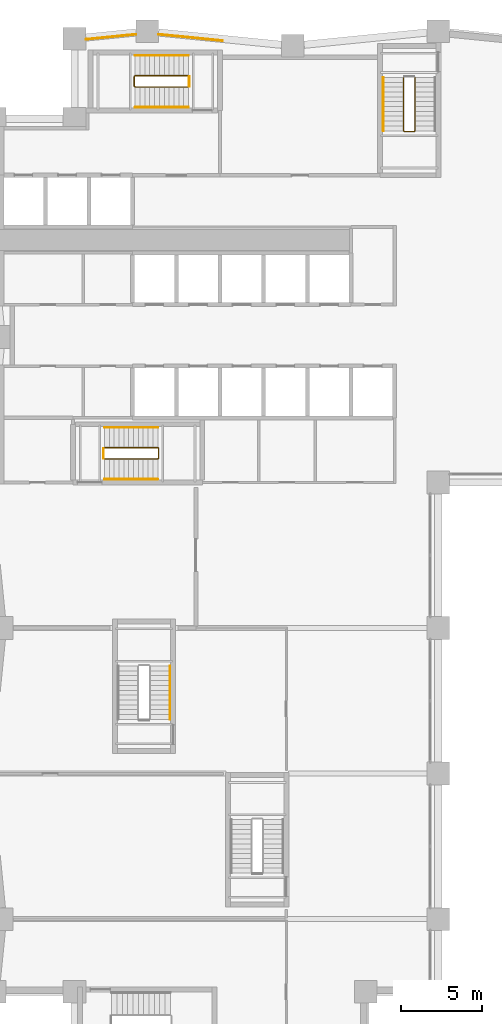
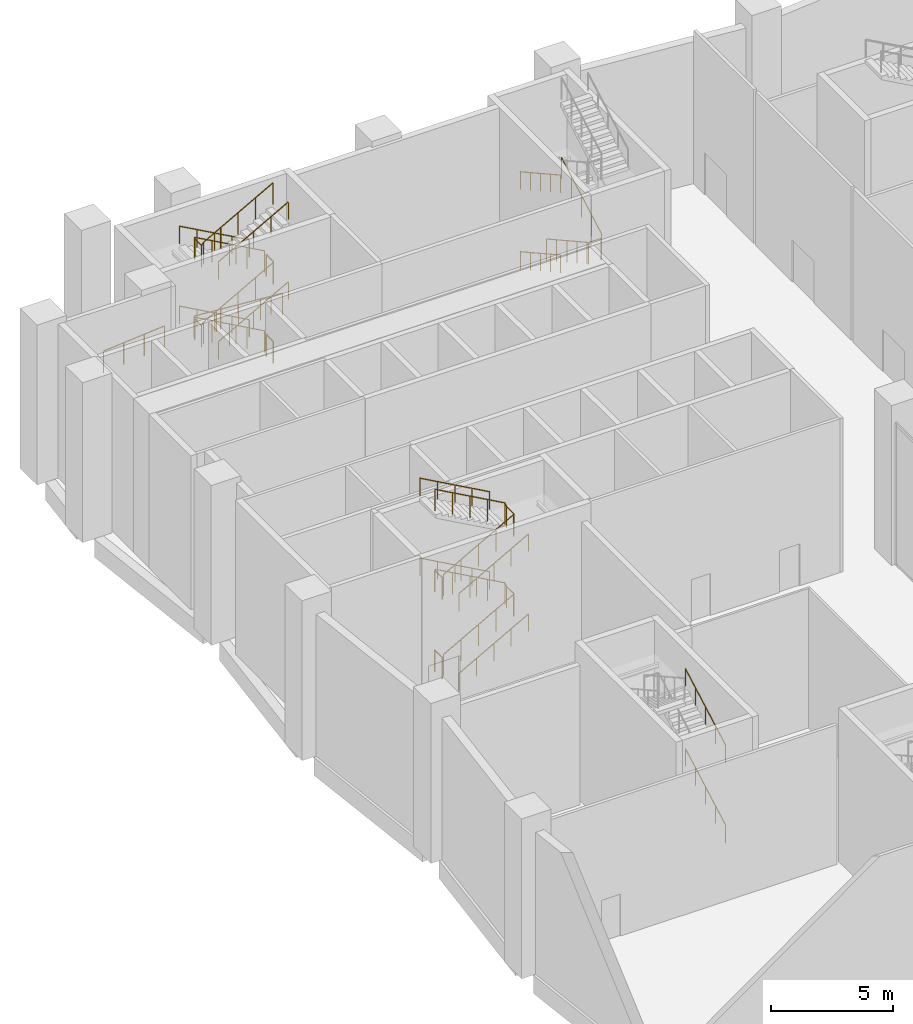
# One storey, part 17 of 19: 23 railings.
"""IFC4 building model written with IfcOpenShell, lengths in metres."""

from ifc_helpers import new_model, si_unit, direction, frame, origin, origin_2d, place, context, subcontext, project, spatial, circle, extrude, material, type_object, element, save


model = new_model("IFC4")

# Units and contexts
model_context = context("Model", 3, precision=1e-05, world=origin(), true_north=direction((0.0, 1.0)))
body_context = subcontext(model_context, "Body", "Model", "MODEL_VIEW")
ifc_project = project(units=[si_unit("LENGTHUNIT", "METRE"), si_unit("AREAUNIT", "SQUARE_METRE"), si_unit("VOLUMEUNIT", "CUBIC_METRE"), si_unit("PLANEANGLEUNIT", "RADIAN"), si_unit("MASSUNIT", "GRAM", prefix="KILO")], contexts=[model_context])

# Site, building, storey
site_placement = place(None, origin())
site = spatial("IfcSite", under=ifc_project, at=site_placement, CompositionType="ELEMENT")
building_placement = place(site_placement, origin())
building = spatial("IfcBuilding", under=site, at=building_placement, Name="Brondeck Convention Tower", CompositionType="ELEMENT")
storey_placement = place(building_placement, frame((0.0, 0.0, 19.5)))
storey = spatial("IfcBuildingStorey", under=building, at=storey_placement, Name="L03", CompositionType="ELEMENT", Elevation=19.5)

# Railings
ifc_material_1 = material(Name="Steel S355, bronze painted", Category="steel")
railing_type_1 = type_object("IfcRailingType", Name="Guard, bronze steel rail and posts", PredefinedType="GUARDRAIL", material=ifc_material_1)
railing_1_placement = place(storey_placement, frame((5.228515625, 63.402099609375, 0.0)))
element("IfcRailing", 1, at=railing_1_placement, inside=storey, type_object=railing_type_1, Name="ENV-RL-L03-REAR1", PredefinedType="GUARDRAIL", context=body_context, shape_type="SweptSolid", body=[
    extrude(circle(Radius=0.02490234375, at=origin_2d()), frame((0.0, 0.0, 1.0751953125), z_axis=(0.995030914205, 0.099566459095, 0.0), x_axis=(-0.099566459095, 0.995030914205, 0.0)), (0.0, 0.0, 1.0), 3.082275390625),
    extrude(circle(Radius=0.02490234375, at=origin_2d()), origin(), (0.0, 0.0, 1.0), 1.050048828125),
    extrude(circle(Radius=0.02490234375, at=origin_2d()), frame((1.022216796875, 0.102294921875, 0.0)), (0.0, 0.0, 1.0), 1.050048828125),
    extrude(circle(Radius=0.02490234375, at=origin_2d()), frame((2.044677734375, 0.20458984375, 0.0)), (0.0, 0.0, 1.0), 1.050048828125),
    extrude(circle(Radius=0.02490234375, at=origin_2d()), frame((3.06689453125, 0.306884765625, 0.0)), (0.0, 0.0, 1.0), 1.050048828125),
])
railing_2_placement = place(storey_placement, frame((9.70458984375, 63.708984375, 0.0)))
element("IfcRailing", 2, at=railing_2_placement, inside=storey, type_object=railing_type_1, Name="ENV-RL-L03-REAR2", PredefinedType="GUARDRAIL", context=body_context, shape_type="SweptSolid", body=[
    extrude(circle(Radius=0.02490234375, at=origin_2d()), frame((0.0, 0.0, 1.0751953125), z_axis=(0.99503719021, -0.099503719021, 0.0), x_axis=(0.099503719021, 0.99503719021, 0.0)), (0.0, 0.0, 1.0), 3.965087890625),
    extrude(circle(Radius=0.02490234375, at=origin_2d()), origin(), (0.0, 0.0, 1.0), 1.050048828125),
    extrude(circle(Radius=0.02490234375, at=origin_2d()), frame((0.986328125, -0.0986328125, 0.0)), (0.0, 0.0, 1.0), 1.050048828125),
    extrude(circle(Radius=0.02490234375, at=origin_2d()), frame((1.97265625, -0.197265625, 0.0)), (0.0, 0.0, 1.0), 1.050048828125),
    extrude(circle(Radius=0.02490234375, at=origin_2d()), frame((2.958984375, -0.2958984375, 0.0)), (0.0, 0.0, 1.0), 1.050048828125),
    extrude(circle(Radius=0.02490234375, at=origin_2d()), frame((3.9453125, -0.39453125, 0.0)), (0.0, 0.0, 1.0), 1.050048828125),
])
ifc_material_2 = material(Name="Steel S355", Category="steel")
railing_type_2 = type_object("IfcRailingType", Name="Stair guard 1100", PredefinedType="GUARDRAIL", material=ifc_material_2)
railing_3_placement = place(storey_placement, frame((6.35009765625, 37.449951171875, 0.166748046875)))
element("IfcRailing", 3, at=railing_3_placement, inside=storey, type_object=railing_type_2, Name="L03 ST-1 stair guard 1", PredefinedType="GUARDRAIL", context=body_context, shape_type="SweptSolid", body=[
    extrude(circle(Radius=0.02392578125, at=origin_2d()), frame((0.0, 0.0, 1.076171875), z_axis=(0.874154225373, 0.0, 0.485648422486), x_axis=(0.0, 1.0, 0.0)), (0.0, 0.0, 1.0), 3.77490234375),
    extrude(circle(Radius=0.02392578125, at=origin_2d()), frame((3.2998046875, 0.0, 2.9091796875), z_axis=(0.707106781187, 0.707106781187, 0.0), x_axis=(-0.707106781187, 0.707106781187, 0.0)), (0.0, 0.0, 1.0), 0.07080078125),
    extrude(circle(Radius=0.02392578125, at=origin_2d()), frame((3.349853515625, 0.050048828125, 2.9091796875), z_axis=(0.0, 1.0, 0.0), x_axis=(-1.0, 0.0, 0.0)), (0.0, 0.0, 1.0), 0.60009765625),
    extrude(circle(Radius=0.02392578125, at=origin_2d()), frame((3.349853515625, 0.650146484375, 2.9091796875), z_axis=(-0.276389281352, 0.275041040955, 0.920848191041), x_axis=(-0.705375805398, -0.708833529934, 0.0)), (0.0, 0.0, 1.0), 0.18115234375),
    extrude(circle(Radius=0.02392578125, at=origin_2d()), frame((3.2998046875, 0.699951171875, 3.076171875), z_axis=(-0.874154225373, 0.0, 0.485648422486), x_axis=(0.0, -1.0, 0.0)), (0.0, 0.0, 1.0), 3.77490234375),
    extrude(circle(Radius=0.02099609375, at=origin_2d()), origin(), (0.0, 0.0, 1.0), 1.052001953125),
    extrude(circle(Radius=0.02099609375, at=origin_2d()), frame((0.824951171875, 0.0, 0.458251953125)), (0.0, 0.0, 1.0), 1.052001953125),
    extrude(circle(Radius=0.02099609375, at=origin_2d()), frame((1.64990234375, 0.0, 0.91650390625)), (0.0, 0.0, 1.0), 1.052001953125),
    extrude(circle(Radius=0.02099609375, at=origin_2d()), frame((2.474853515625, 0.0, 1.375)), (0.0, 0.0, 1.0), 1.052001953125),
    extrude(circle(Radius=0.02099609375, at=origin_2d()), frame((3.2998046875, 0.0, 1.833251953125)), (0.0, 0.0, 1.0), 1.052001953125),
    extrude(circle(Radius=0.02099609375, at=origin_2d()), frame((3.349853515625, 0.050048828125, 1.833251953125)), (0.0, 0.0, 1.0), 1.052001953125),
    extrude(circle(Radius=0.02099609375, at=origin_2d()), frame((3.349853515625, 0.650146484375, 1.833251953125)), (0.0, 0.0, 1.0), 1.052001953125),
    extrude(circle(Radius=0.02099609375, at=origin_2d()), frame((3.2998046875, 0.699951171875, 2.0)), (0.0, 0.0, 1.0), 1.052001953125),
    extrude(circle(Radius=0.02099609375, at=origin_2d()), frame((2.474853515625, 0.699951171875, 2.458251953125)), (0.0, 0.0, 1.0), 1.052001953125),
    extrude(circle(Radius=0.02099609375, at=origin_2d()), frame((1.64990234375, 0.699951171875, 2.91650390625)), (0.0, 0.0, 1.0), 1.052001953125),
    extrude(circle(Radius=0.02099609375, at=origin_2d()), frame((0.824951171875, 0.699951171875, 3.375)), (0.0, 0.0, 1.0), 1.052001953125),
    extrude(circle(Radius=0.02099609375, at=origin_2d()), frame((0.0, 0.699951171875, 3.833251953125)), (0.0, 0.0, 1.0), 1.052001953125),
])
railing_4_placement = place(storey_placement, frame((6.300048828125, 37.5, 4.0)))
element("IfcRailing", 4, at=railing_4_placement, inside=storey, type_object=railing_type_2, Name="L03 ST-1 stair guard 2", PredefinedType="GUARDRAIL", context=body_context, shape_type="SweptSolid", body=[
    extrude(circle(Radius=0.02392578125, at=origin_2d()), frame((0.0, 0.0, 1.076171875), z_axis=(0.0, 1.0, 0.0), x_axis=(-1.0, 0.0, 0.0)), (0.0, 0.0, 1.0), 0.60009765625),
    extrude(circle(Radius=0.02099609375, at=origin_2d()), origin(), (0.0, 0.0, 1.0), 1.052001953125),
    extrude(circle(Radius=0.02099609375, at=origin_2d()), frame((0.0, 0.60009765625, 0.0)), (0.0, 0.0, 1.0), 1.052001953125),
])
railing_5_placement = place(storey_placement, frame((6.35009765625, 37.449951171875, 4.166748046875)))
element("IfcRailing", 5, at=railing_5_placement, inside=storey, type_object=railing_type_2, Name="L03 ST-1 stair guard 3", PredefinedType="GUARDRAIL", context=body_context, shape_type="SweptSolid", body=[
    extrude(circle(Radius=0.02392578125, at=origin_2d()), frame((0.0, 0.0, 1.076171875), z_axis=(0.874154225373, 0.0, 0.485648422486), x_axis=(0.0, 1.0, 0.0)), (0.0, 0.0, 1.0), 3.77490234375),
    extrude(circle(Radius=0.02392578125, at=origin_2d()), frame((3.2998046875, 0.0, 2.9091796875), z_axis=(0.707106781187, 0.707106781187, 0.0), x_axis=(-0.707106781187, 0.707106781187, 0.0)), (0.0, 0.0, 1.0), 0.07080078125),
    extrude(circle(Radius=0.02392578125, at=origin_2d()), frame((3.349853515625, 0.050048828125, 2.9091796875), z_axis=(0.0, 1.0, 0.0), x_axis=(-1.0, 0.0, 0.0)), (0.0, 0.0, 1.0), 0.60009765625),
    extrude(circle(Radius=0.02392578125, at=origin_2d()), frame((3.349853515625, 0.650146484375, 2.9091796875), z_axis=(-0.276389281352, 0.275041040955, 0.920848191041), x_axis=(-0.705375805398, -0.708833529934, 0.0)), (0.0, 0.0, 1.0), 0.18115234375),
    extrude(circle(Radius=0.02392578125, at=origin_2d()), frame((3.2998046875, 0.699951171875, 3.076171875), z_axis=(-0.874154225373, 0.0, 0.485648422486), x_axis=(0.0, -1.0, 0.0)), (0.0, 0.0, 1.0), 3.77490234375),
    extrude(circle(Radius=0.02099609375, at=origin_2d()), origin(), (0.0, 0.0, 1.0), 1.052001953125),
    extrude(circle(Radius=0.02099609375, at=origin_2d()), frame((0.824951171875, 0.0, 0.458251953125)), (0.0, 0.0, 1.0), 1.052001953125),
    extrude(circle(Radius=0.02099609375, at=origin_2d()), frame((1.64990234375, 0.0, 0.91650390625)), (0.0, 0.0, 1.0), 1.052001953125),
    extrude(circle(Radius=0.02099609375, at=origin_2d()), frame((2.474853515625, 0.0, 1.375)), (0.0, 0.0, 1.0), 1.052001953125),
    extrude(circle(Radius=0.02099609375, at=origin_2d()), frame((3.2998046875, 0.0, 1.833251953125)), (0.0, 0.0, 1.0), 1.052001953125),
    extrude(circle(Radius=0.02099609375, at=origin_2d()), frame((3.349853515625, 0.050048828125, 1.833251953125)), (0.0, 0.0, 1.0), 1.052001953125),
    extrude(circle(Radius=0.02099609375, at=origin_2d()), frame((3.349853515625, 0.650146484375, 1.833251953125)), (0.0, 0.0, 1.0), 1.052001953125),
    extrude(circle(Radius=0.02099609375, at=origin_2d()), frame((3.2998046875, 0.699951171875, 2.0)), (0.0, 0.0, 1.0), 1.052001953125),
    extrude(circle(Radius=0.02099609375, at=origin_2d()), frame((2.474853515625, 0.699951171875, 2.458251953125)), (0.0, 0.0, 1.0), 1.052001953125),
    extrude(circle(Radius=0.02099609375, at=origin_2d()), frame((1.64990234375, 0.699951171875, 2.91650390625)), (0.0, 0.0, 1.0), 1.052001953125),
    extrude(circle(Radius=0.02099609375, at=origin_2d()), frame((0.824951171875, 0.699951171875, 3.375)), (0.0, 0.0, 1.0), 1.052001953125),
    extrude(circle(Radius=0.02099609375, at=origin_2d()), frame((0.0, 0.699951171875, 3.833251953125)), (0.0, 0.0, 1.0), 1.052001953125),
])
railing_6_placement = place(storey_placement, frame((6.300048828125, 37.5, 0.0)))
element("IfcRailing", 6, at=railing_6_placement, inside=storey, type_object=railing_type_2, Name="L03 ST-1 stair guard 4", PredefinedType="GUARDRAIL", context=body_context, shape_type="SweptSolid", body=[
    extrude(circle(Radius=0.02392578125, at=origin_2d()), frame((0.0, 0.0, 1.076171875), z_axis=(0.0, 1.0, 0.0), x_axis=(-1.0, 0.0, 0.0)), (0.0, 0.0, 1.0), 0.60009765625),
    extrude(circle(Radius=0.02099609375, at=origin_2d()), origin(), (0.0, 0.0, 1.0), 1.052001953125),
    extrude(circle(Radius=0.02099609375, at=origin_2d()), frame((0.0, 0.60009765625, 0.0)), (0.0, 0.0, 1.0), 1.052001953125),
])
railing_7_placement = place(storey_placement, frame((24.85009765625, 61.050048828125, 0.166748046875)))
element("IfcRailing", 7, at=railing_7_placement, inside=storey, type_object=railing_type_2, Name="L03 ST-2 stair guard 1", PredefinedType="GUARDRAIL", context=body_context, shape_type="SweptSolid", body=[
    extrude(circle(Radius=0.02392578125, at=origin_2d()), frame((0.0, 0.0, 1.076171875), z_axis=(0.0, -0.874169478083, 0.485620966999), x_axis=(1.0, 0.0, 0.0)), (0.0, 0.0, 1.0), 3.775146484375),
    extrude(circle(Radius=0.02392578125, at=origin_2d()), frame((0.0, -3.300048828125, 2.9091796875), z_axis=(0.705375805398, -0.708833529934, 0.0), x_axis=(0.708833529934, 0.705375805398, 0.0)), (0.0, 0.0, 1.0), 0.070556640625),
    extrude(circle(Radius=0.02392578125, at=origin_2d()), frame((0.0498046875, -3.35009765625, 2.9091796875), z_axis=(1.0, 0.0, 0.0), x_axis=(0.0, 1.0, 0.0)), (0.0, 0.0, 1.0), 0.60009765625),
    extrude(circle(Radius=0.02392578125, at=origin_2d()), frame((0.64990234375, -3.35009765625, 2.9091796875), z_axis=(0.27628659633, 0.27628659633, 0.920506074601), x_axis=(-0.707106781187, 0.707106781187, 0.0)), (0.0, 0.0, 1.0), 0.18115234375),
    extrude(circle(Radius=0.02392578125, at=origin_2d()), frame((0.699951171875, -3.300048828125, 3.076171875), z_axis=(0.0, 0.874169478083, 0.485620966999), x_axis=(-1.0, 0.0, 0.0)), (0.0, 0.0, 1.0), 3.775146484375),
    extrude(circle(Radius=0.02099609375, at=origin_2d()), origin(), (0.0, 0.0, 1.0), 1.052001953125),
    extrude(circle(Radius=0.02099609375, at=origin_2d()), frame((0.0, -0.824951171875, 0.458251953125)), (0.0, 0.0, 1.0), 1.052001953125),
    extrude(circle(Radius=0.02099609375, at=origin_2d()), frame((0.0, -1.64990234375, 0.91650390625)), (0.0, 0.0, 1.0), 1.052001953125),
    extrude(circle(Radius=0.02099609375, at=origin_2d()), frame((0.0, -2.47509765625, 1.375)), (0.0, 0.0, 1.0), 1.052001953125),
    extrude(circle(Radius=0.02099609375, at=origin_2d()), frame((0.0, -3.300048828125, 1.833251953125)), (0.0, 0.0, 1.0), 1.052001953125),
    extrude(circle(Radius=0.02099609375, at=origin_2d()), frame((0.0498046875, -3.35009765625, 1.833251953125)), (0.0, 0.0, 1.0), 1.052001953125),
    extrude(circle(Radius=0.02099609375, at=origin_2d()), frame((0.64990234375, -3.35009765625, 1.833251953125)), (0.0, 0.0, 1.0), 1.052001953125),
    extrude(circle(Radius=0.02099609375, at=origin_2d()), frame((0.699951171875, -3.300048828125, 2.0)), (0.0, 0.0, 1.0), 1.052001953125),
    extrude(circle(Radius=0.02099609375, at=origin_2d()), frame((0.699951171875, -2.47509765625, 2.458251953125)), (0.0, 0.0, 1.0), 1.052001953125),
    extrude(circle(Radius=0.02099609375, at=origin_2d()), frame((0.699951171875, -1.64990234375, 2.91650390625)), (0.0, 0.0, 1.0), 1.052001953125),
    extrude(circle(Radius=0.02099609375, at=origin_2d()), frame((0.699951171875, -0.824951171875, 3.375)), (0.0, 0.0, 1.0), 1.052001953125),
    extrude(circle(Radius=0.02099609375, at=origin_2d()), frame((0.699951171875, 0.0, 3.833251953125)), (0.0, 0.0, 1.0), 1.052001953125),
])
railing_8_placement = place(storey_placement, frame((11.550048828125, 61.14990234375, 0.166748046875)))
element("IfcRailing", 8, at=railing_8_placement, inside=storey, type_object=railing_type_2, Name="L03 ST-3 stair guard 1", PredefinedType="GUARDRAIL", context=body_context, shape_type="SweptSolid", body=[
    extrude(circle(Radius=0.02392578125, at=origin_2d()), frame((0.0, 0.0, 1.076171875), z_axis=(-0.874169478083, 0.0, 0.485620966999), x_axis=(0.0, -1.0, 0.0)), (0.0, 0.0, 1.0), 3.775146484375),
    extrude(circle(Radius=0.02392578125, at=origin_2d()), frame((-3.300048828125, 0.0, 2.9091796875), z_axis=(-0.708833529934, -0.705375805398, 0.0), x_axis=(0.705375805398, -0.708833529934, 0.0)), (0.0, 0.0, 1.0), 0.070556640625),
    extrude(circle(Radius=0.02392578125, at=origin_2d()), frame((-3.35009765625, -0.0498046875, 2.9091796875), z_axis=(0.0, -1.0, 0.0), x_axis=(1.0, 0.0, 0.0)), (0.0, 0.0, 1.0), 0.60009765625),
    extrude(circle(Radius=0.02392578125, at=origin_2d()), frame((-3.35009765625, -0.64990234375, 2.9091796875), z_axis=(0.27628659633, -0.27628659633, 0.920506074601), x_axis=(0.707106781187, 0.707106781187, 0.0)), (0.0, 0.0, 1.0), 0.18115234375),
    extrude(circle(Radius=0.02392578125, at=origin_2d()), frame((-3.300048828125, -0.699951171875, 3.076171875), z_axis=(0.874169478083, 0.0, 0.485620966999), x_axis=(0.0, 1.0, 0.0)), (0.0, 0.0, 1.0), 3.775146484375),
    extrude(circle(Radius=0.02099609375, at=origin_2d()), origin(), (0.0, 0.0, 1.0), 1.052001953125),
    extrude(circle(Radius=0.02099609375, at=origin_2d()), frame((-0.824951171875, 0.0, 0.458251953125)), (0.0, 0.0, 1.0), 1.052001953125),
    extrude(circle(Radius=0.02099609375, at=origin_2d()), frame((-1.64990234375, 0.0, 0.91650390625)), (0.0, 0.0, 1.0), 1.052001953125),
    extrude(circle(Radius=0.02099609375, at=origin_2d()), frame((-2.47509765625, 0.0, 1.375)), (0.0, 0.0, 1.0), 1.052001953125),
    extrude(circle(Radius=0.02099609375, at=origin_2d()), frame((-3.300048828125, 0.0, 1.833251953125)), (0.0, 0.0, 1.0), 1.052001953125),
    extrude(circle(Radius=0.02099609375, at=origin_2d()), frame((-3.35009765625, -0.0498046875, 1.833251953125)), (0.0, 0.0, 1.0), 1.052001953125),
    extrude(circle(Radius=0.02099609375, at=origin_2d()), frame((-3.35009765625, -0.64990234375, 1.833251953125)), (0.0, 0.0, 1.0), 1.052001953125),
    extrude(circle(Radius=0.02099609375, at=origin_2d()), frame((-3.300048828125, -0.699951171875, 2.0)), (0.0, 0.0, 1.0), 1.052001953125),
    extrude(circle(Radius=0.02099609375, at=origin_2d()), frame((-2.47509765625, -0.699951171875, 2.458251953125)), (0.0, 0.0, 1.0), 1.052001953125),
    extrude(circle(Radius=0.02099609375, at=origin_2d()), frame((-1.64990234375, -0.699951171875, 2.91650390625)), (0.0, 0.0, 1.0), 1.052001953125),
    extrude(circle(Radius=0.02099609375, at=origin_2d()), frame((-0.824951171875, -0.699951171875, 3.375)), (0.0, 0.0, 1.0), 1.052001953125),
    extrude(circle(Radius=0.02099609375, at=origin_2d()), frame((0.0, -0.699951171875, 3.833251953125)), (0.0, 0.0, 1.0), 1.052001953125),
])
railing_9_placement = place(storey_placement, frame((11.60009765625, 61.10009765625, 4.0)))
element("IfcRailing", 9, at=railing_9_placement, inside=storey, type_object=railing_type_2, Name="L03 ST-3 stair guard 2", PredefinedType="GUARDRAIL", context=body_context, shape_type="SweptSolid", body=[
    extrude(circle(Radius=0.02392578125, at=origin_2d()), frame((0.0, 0.0, 1.076171875), z_axis=(0.0, -1.0, 0.0), x_axis=(1.0, 0.0, 0.0)), (0.0, 0.0, 1.0), 0.60009765625),
    extrude(circle(Radius=0.02099609375, at=origin_2d()), origin(), (0.0, 0.0, 1.0), 1.052001953125),
    extrude(circle(Radius=0.02099609375, at=origin_2d()), frame((0.0, -0.60009765625, 0.0)), (0.0, 0.0, 1.0), 1.052001953125),
])
railing_10_placement = place(storey_placement, frame((11.550048828125, 61.14990234375, 4.166748046875)))
element("IfcRailing", 10, at=railing_10_placement, inside=storey, type_object=railing_type_2, Name="L03 ST-3 stair guard 3", PredefinedType="GUARDRAIL", context=body_context, shape_type="SweptSolid", body=[
    extrude(circle(Radius=0.02392578125, at=origin_2d()), frame((0.0, 0.0, 1.076171875), z_axis=(-0.874169478083, 0.0, 0.485620966999), x_axis=(0.0, -1.0, 0.0)), (0.0, 0.0, 1.0), 3.775146484375),
    extrude(circle(Radius=0.02392578125, at=origin_2d()), frame((-3.300048828125, 0.0, 2.9091796875), z_axis=(-0.708833529934, -0.705375805398, 0.0), x_axis=(0.705375805398, -0.708833529934, 0.0)), (0.0, 0.0, 1.0), 0.070556640625),
    extrude(circle(Radius=0.02392578125, at=origin_2d()), frame((-3.35009765625, -0.0498046875, 2.9091796875), z_axis=(0.0, -1.0, 0.0), x_axis=(1.0, 0.0, 0.0)), (0.0, 0.0, 1.0), 0.60009765625),
    extrude(circle(Radius=0.02392578125, at=origin_2d()), frame((-3.35009765625, -0.64990234375, 2.9091796875), z_axis=(0.27628659633, -0.27628659633, 0.920506074601), x_axis=(0.707106781187, 0.707106781187, 0.0)), (0.0, 0.0, 1.0), 0.18115234375),
    extrude(circle(Radius=0.02392578125, at=origin_2d()), frame((-3.300048828125, -0.699951171875, 3.076171875), z_axis=(0.874169478083, 0.0, 0.485620966999), x_axis=(0.0, 1.0, 0.0)), (0.0, 0.0, 1.0), 3.775146484375),
    extrude(circle(Radius=0.02099609375, at=origin_2d()), origin(), (0.0, 0.0, 1.0), 1.052001953125),
    extrude(circle(Radius=0.02099609375, at=origin_2d()), frame((-0.824951171875, 0.0, 0.458251953125)), (0.0, 0.0, 1.0), 1.052001953125),
    extrude(circle(Radius=0.02099609375, at=origin_2d()), frame((-1.64990234375, 0.0, 0.91650390625)), (0.0, 0.0, 1.0), 1.052001953125),
    extrude(circle(Radius=0.02099609375, at=origin_2d()), frame((-2.47509765625, 0.0, 1.375)), (0.0, 0.0, 1.0), 1.052001953125),
    extrude(circle(Radius=0.02099609375, at=origin_2d()), frame((-3.300048828125, 0.0, 1.833251953125)), (0.0, 0.0, 1.0), 1.052001953125),
    extrude(circle(Radius=0.02099609375, at=origin_2d()), frame((-3.35009765625, -0.0498046875, 1.833251953125)), (0.0, 0.0, 1.0), 1.052001953125),
    extrude(circle(Radius=0.02099609375, at=origin_2d()), frame((-3.35009765625, -0.64990234375, 1.833251953125)), (0.0, 0.0, 1.0), 1.052001953125),
    extrude(circle(Radius=0.02099609375, at=origin_2d()), frame((-3.300048828125, -0.699951171875, 2.0)), (0.0, 0.0, 1.0), 1.052001953125),
    extrude(circle(Radius=0.02099609375, at=origin_2d()), frame((-2.47509765625, -0.699951171875, 2.458251953125)), (0.0, 0.0, 1.0), 1.052001953125),
    extrude(circle(Radius=0.02099609375, at=origin_2d()), frame((-1.64990234375, -0.699951171875, 2.91650390625)), (0.0, 0.0, 1.0), 1.052001953125),
    extrude(circle(Radius=0.02099609375, at=origin_2d()), frame((-0.824951171875, -0.699951171875, 3.375)), (0.0, 0.0, 1.0), 1.052001953125),
    extrude(circle(Radius=0.02099609375, at=origin_2d()), frame((0.0, -0.699951171875, 3.833251953125)), (0.0, 0.0, 1.0), 1.052001953125),
])
railing_11_placement = place(storey_placement, frame((11.60009765625, 61.10009765625, 0.0)))
element("IfcRailing", 11, at=railing_11_placement, inside=storey, type_object=railing_type_2, Name="L03 ST-3 stair guard 4", PredefinedType="GUARDRAIL", context=body_context, shape_type="SweptSolid", body=[
    extrude(circle(Radius=0.02392578125, at=origin_2d()), frame((0.0, 0.0, 1.076171875), z_axis=(0.0, -1.0, 0.0), x_axis=(1.0, 0.0, 0.0)), (0.0, 0.0, 1.0), 0.60009765625),
    extrude(circle(Radius=0.02099609375, at=origin_2d()), origin(), (0.0, 0.0, 1.0), 1.052001953125),
    extrude(circle(Radius=0.02099609375, at=origin_2d()), frame((0.0, -0.60009765625, 0.0)), (0.0, 0.0, 1.0), 1.052001953125),
])
railing_type_3 = type_object("IfcRailingType", Name="Stair handrail", PredefinedType="HANDRAIL", material=ifc_material_2)
railing_12_placement = place(storey_placement, frame((6.35009765625, 36.199951171875, 0.166748046875)))
element("IfcRailing", 12, at=railing_12_placement, inside=storey, type_object=railing_type_3, Name="L03 ST-1 stair handrail 1", PredefinedType="HANDRAIL", context=body_context, shape_type="SweptSolid", body=[
    extrude(circle(Radius=0.02392578125, at=origin_2d()), frame((0.0, 0.0, 0.8759765625), z_axis=(0.874154225373, 0.0, 0.485648422486), x_axis=(0.0, 1.0, 0.0)), (0.0, 0.0, 1.0), 3.77490234375),
    extrude(circle(Radius=0.02099609375, at=origin_2d()), origin(), (0.0, 0.0, 1.0), 0.851806640625),
    extrude(circle(Radius=0.02099609375, at=origin_2d()), frame((0.824951171875, 0.0, 0.458251953125)), (0.0, 0.0, 1.0), 0.851806640625),
    extrude(circle(Radius=0.02099609375, at=origin_2d()), frame((1.64990234375, 0.0, 0.91650390625)), (0.0, 0.0, 1.0), 0.851806640625),
    extrude(circle(Radius=0.02099609375, at=origin_2d()), frame((2.474853515625, 0.0, 1.375)), (0.0, 0.0, 1.0), 0.851806640625),
    extrude(circle(Radius=0.02099609375, at=origin_2d()), frame((3.2998046875, 0.0, 1.833251953125)), (0.0, 0.0, 1.0), 0.851806640625),
])
railing_13_placement = place(storey_placement, frame((9.64990234375, 39.39990234375, 2.166748046875)))
element("IfcRailing", 13, at=railing_13_placement, inside=storey, type_object=railing_type_3, Name="L03 ST-1 stair handrail 2", PredefinedType="HANDRAIL", context=body_context, shape_type="SweptSolid", body=[
    extrude(circle(Radius=0.02392578125, at=origin_2d()), frame((0.0, 0.0, 0.8759765625), z_axis=(-0.874154225373, 0.0, 0.485648422486), x_axis=(0.0, -1.0, 0.0)), (0.0, 0.0, 1.0), 3.77490234375),
    extrude(circle(Radius=0.02099609375, at=origin_2d()), origin(), (0.0, 0.0, 1.0), 0.851806640625),
    extrude(circle(Radius=0.02099609375, at=origin_2d()), frame((-0.824951171875, 0.0, 0.458251953125)), (0.0, 0.0, 1.0), 0.851806640625),
    extrude(circle(Radius=0.02099609375, at=origin_2d()), frame((-1.64990234375, 0.0, 0.91650390625)), (0.0, 0.0, 1.0), 0.851806640625),
    extrude(circle(Radius=0.02099609375, at=origin_2d()), frame((-2.474853515625, 0.0, 1.375)), (0.0, 0.0, 1.0), 0.851806640625),
    extrude(circle(Radius=0.02099609375, at=origin_2d()), frame((-3.2998046875, 0.0, 1.833251953125)), (0.0, 0.0, 1.0), 0.851806640625),
])
railing_14_placement = place(storey_placement, frame((6.35009765625, 36.199951171875, 4.166748046875)))
element("IfcRailing", 14, at=railing_14_placement, inside=storey, type_object=railing_type_3, Name="L03 ST-1 stair handrail 3", PredefinedType="HANDRAIL", context=body_context, shape_type="SweptSolid", body=[
    extrude(circle(Radius=0.02392578125, at=origin_2d()), frame((0.0, 0.0, 0.8759765625), z_axis=(0.874154225373, 0.0, 0.485648422486), x_axis=(0.0, 1.0, 0.0)), (0.0, 0.0, 1.0), 3.77490234375),
    extrude(circle(Radius=0.02099609375, at=origin_2d()), origin(), (0.0, 0.0, 1.0), 0.851806640625),
    extrude(circle(Radius=0.02099609375, at=origin_2d()), frame((0.824951171875, 0.0, 0.458251953125)), (0.0, 0.0, 1.0), 0.851806640625),
    extrude(circle(Radius=0.02099609375, at=origin_2d()), frame((1.64990234375, 0.0, 0.91650390625)), (0.0, 0.0, 1.0), 0.851806640625),
    extrude(circle(Radius=0.02099609375, at=origin_2d()), frame((2.474853515625, 0.0, 1.375)), (0.0, 0.0, 1.0), 0.851806640625),
    extrude(circle(Radius=0.02099609375, at=origin_2d()), frame((3.2998046875, 0.0, 1.833251953125)), (0.0, 0.0, 1.0), 0.851806640625),
])
railing_15_placement = place(storey_placement, frame((9.64990234375, 39.39990234375, 6.166748046875)))
element("IfcRailing", 15, at=railing_15_placement, inside=storey, type_object=railing_type_3, Name="L03 ST-1 stair handrail 4", PredefinedType="HANDRAIL", context=body_context, shape_type="SweptSolid", body=[
    extrude(circle(Radius=0.02392578125, at=origin_2d()), frame((0.0, 0.0, 0.8759765625), z_axis=(-0.874154225373, 0.0, 0.485648422486), x_axis=(0.0, -1.0, 0.0)), (0.0, 0.0, 1.0), 3.77490234375),
    extrude(circle(Radius=0.02099609375, at=origin_2d()), origin(), (0.0, 0.0, 1.0), 0.851806640625),
    extrude(circle(Radius=0.02099609375, at=origin_2d()), frame((-0.824951171875, 0.0, 0.458251953125)), (0.0, 0.0, 1.0), 0.851806640625),
    extrude(circle(Radius=0.02099609375, at=origin_2d()), frame((-1.64990234375, 0.0, 0.91650390625)), (0.0, 0.0, 1.0), 0.851806640625),
    extrude(circle(Radius=0.02099609375, at=origin_2d()), frame((-2.474853515625, 0.0, 1.375)), (0.0, 0.0, 1.0), 0.851806640625),
    extrude(circle(Radius=0.02099609375, at=origin_2d()), frame((-3.2998046875, 0.0, 1.833251953125)), (0.0, 0.0, 1.0), 0.851806640625),
])
for number, where, name in (
    (16, (23.60009765625, 61.050048828125, 0.166748046875), "L03 ST-2 stair handrail 1"),
    (17, (23.60009765625, 61.050048828125, 4.166748046875), "L03 ST-2 stair handrail 3"),
):
    element("IfcRailing", number, at=place(storey_placement, frame(where)), inside=storey, type_object=railing_type_3, Name=name, PredefinedType="HANDRAIL", context=body_context, shape_type="SweptSolid", body=[
        extrude(circle(Radius=0.02392578125, at=origin_2d()), frame((0.0, 0.0, 0.8759765625), z_axis=(0.0, -0.874169478083, 0.485620966999), x_axis=(1.0, 0.0, 0.0)), (0.0, 0.0, 1.0), 3.775146484375),
        extrude(circle(Radius=0.02099609375, at=origin_2d()), origin(), (0.0, 0.0, 1.0), 0.851806640625),
        extrude(circle(Radius=0.02099609375, at=origin_2d()), frame((0.0, -0.824951171875, 0.458251953125)), (0.0, 0.0, 1.0), 0.851806640625),
        extrude(circle(Radius=0.02099609375, at=origin_2d()), frame((0.0, -1.64990234375, 0.91650390625)), (0.0, 0.0, 1.0), 0.851806640625),
        extrude(circle(Radius=0.02099609375, at=origin_2d()), frame((0.0, -2.47509765625, 1.375)), (0.0, 0.0, 1.0), 0.851806640625),
        extrude(circle(Radius=0.02099609375, at=origin_2d()), frame((0.0, -3.300048828125, 1.833251953125)), (0.0, 0.0, 1.0), 0.851806640625),
    ])
railing_16_placement = place(storey_placement, frame((11.550048828125, 62.39990234375, 0.166748046875)))
element("IfcRailing", 18, at=railing_16_placement, inside=storey, type_object=railing_type_3, Name="L03 ST-3 stair handrail 1", PredefinedType="HANDRAIL", context=body_context, shape_type="SweptSolid", body=[
    extrude(circle(Radius=0.02392578125, at=origin_2d()), frame((0.0, 0.0, 0.8759765625), z_axis=(-0.874169478083, 0.0, 0.485620966999), x_axis=(0.0, -1.0, 0.0)), (0.0, 0.0, 1.0), 3.775146484375),
    extrude(circle(Radius=0.02099609375, at=origin_2d()), origin(), (0.0, 0.0, 1.0), 0.851806640625),
    extrude(circle(Radius=0.02099609375, at=origin_2d()), frame((-0.824951171875, 0.0, 0.458251953125)), (0.0, 0.0, 1.0), 0.851806640625),
    extrude(circle(Radius=0.02099609375, at=origin_2d()), frame((-1.64990234375, 0.0, 0.91650390625)), (0.0, 0.0, 1.0), 0.851806640625),
    extrude(circle(Radius=0.02099609375, at=origin_2d()), frame((-2.47509765625, 0.0, 1.375)), (0.0, 0.0, 1.0), 0.851806640625),
    extrude(circle(Radius=0.02099609375, at=origin_2d()), frame((-3.300048828125, 0.0, 1.833251953125)), (0.0, 0.0, 1.0), 0.851806640625),
])
railing_17_placement = place(storey_placement, frame((8.25, 59.199951171875, 2.166748046875)))
element("IfcRailing", 19, at=railing_17_placement, inside=storey, type_object=railing_type_3, Name="L03 ST-3 stair handrail 2", PredefinedType="HANDRAIL", context=body_context, shape_type="SweptSolid", body=[
    extrude(circle(Radius=0.02392578125, at=origin_2d()), frame((0.0, 0.0, 0.8759765625), z_axis=(0.874169478083, 0.0, 0.485620966999), x_axis=(0.0, 1.0, 0.0)), (0.0, 0.0, 1.0), 3.775146484375),
    extrude(circle(Radius=0.02099609375, at=origin_2d()), origin(), (0.0, 0.0, 1.0), 0.851806640625),
    extrude(circle(Radius=0.02099609375, at=origin_2d()), frame((0.824951171875, 0.0, 0.458251953125)), (0.0, 0.0, 1.0), 0.851806640625),
    extrude(circle(Radius=0.02099609375, at=origin_2d()), frame((1.64990234375, 0.0, 0.91650390625)), (0.0, 0.0, 1.0), 0.851806640625),
    extrude(circle(Radius=0.02099609375, at=origin_2d()), frame((2.47509765625, 0.0, 1.375)), (0.0, 0.0, 1.0), 0.851806640625),
    extrude(circle(Radius=0.02099609375, at=origin_2d()), frame((3.300048828125, 0.0, 1.833251953125)), (0.0, 0.0, 1.0), 0.851806640625),
])
railing_18_placement = place(storey_placement, frame((11.550048828125, 62.39990234375, 4.166748046875)))
element("IfcRailing", 20, at=railing_18_placement, inside=storey, type_object=railing_type_3, Name="L03 ST-3 stair handrail 3", PredefinedType="HANDRAIL", context=body_context, shape_type="SweptSolid", body=[
    extrude(circle(Radius=0.02392578125, at=origin_2d()), frame((0.0, 0.0, 0.8759765625), z_axis=(-0.874169478083, 0.0, 0.485620966999), x_axis=(0.0, -1.0, 0.0)), (0.0, 0.0, 1.0), 3.775146484375),
    extrude(circle(Radius=0.02099609375, at=origin_2d()), origin(), (0.0, 0.0, 1.0), 0.851806640625),
    extrude(circle(Radius=0.02099609375, at=origin_2d()), frame((-0.824951171875, 0.0, 0.458251953125)), (0.0, 0.0, 1.0), 0.851806640625),
    extrude(circle(Radius=0.02099609375, at=origin_2d()), frame((-1.64990234375, 0.0, 0.91650390625)), (0.0, 0.0, 1.0), 0.851806640625),
    extrude(circle(Radius=0.02099609375, at=origin_2d()), frame((-2.47509765625, 0.0, 1.375)), (0.0, 0.0, 1.0), 0.851806640625),
    extrude(circle(Radius=0.02099609375, at=origin_2d()), frame((-3.300048828125, 0.0, 1.833251953125)), (0.0, 0.0, 1.0), 0.851806640625),
])
railing_19_placement = place(storey_placement, frame((8.25, 59.199951171875, 6.166748046875)))
element("IfcRailing", 21, at=railing_19_placement, inside=storey, type_object=railing_type_3, Name="L03 ST-3 stair handrail 4", PredefinedType="HANDRAIL", context=body_context, shape_type="SweptSolid", body=[
    extrude(circle(Radius=0.02392578125, at=origin_2d()), frame((0.0, 0.0, 0.8759765625), z_axis=(0.874169478083, 0.0, 0.485620966999), x_axis=(0.0, 1.0, 0.0)), (0.0, 0.0, 1.0), 3.775146484375),
    extrude(circle(Radius=0.02099609375, at=origin_2d()), origin(), (0.0, 0.0, 1.0), 0.851806640625),
    extrude(circle(Radius=0.02099609375, at=origin_2d()), frame((0.824951171875, 0.0, 0.458251953125)), (0.0, 0.0, 1.0), 0.851806640625),
    extrude(circle(Radius=0.02099609375, at=origin_2d()), frame((1.64990234375, 0.0, 0.91650390625)), (0.0, 0.0, 1.0), 0.851806640625),
    extrude(circle(Radius=0.02099609375, at=origin_2d()), frame((2.47509765625, 0.0, 1.375)), (0.0, 0.0, 1.0), 0.851806640625),
    extrude(circle(Radius=0.02099609375, at=origin_2d()), frame((3.300048828125, 0.0, 1.833251953125)), (0.0, 0.0, 1.0), 0.851806640625),
])
for number, where, name in (
    (22, (10.39990234375, 21.35009765625, 0.166748046875), "L03 ST-BE stair handrail 1"),
    (23, (10.39990234375, 21.35009765625, 4.166748046875), "L03 ST-BE stair handrail 3"),
):
    element("IfcRailing", number, at=place(storey_placement, frame(where)), inside=storey, type_object=railing_type_3, Name=name, PredefinedType="HANDRAIL", context=body_context, shape_type="SweptSolid", body=[
        extrude(circle(Radius=0.02392578125, at=origin_2d()), frame((0.0, 0.0, 0.8759765625), z_axis=(0.0, 0.874154225373, 0.485648422486), x_axis=(-1.0, 0.0, 0.0)), (0.0, 0.0, 1.0), 3.77490234375),
        extrude(circle(Radius=0.02099609375, at=origin_2d()), origin(), (0.0, 0.0, 1.0), 0.851806640625),
        extrude(circle(Radius=0.02099609375, at=origin_2d()), frame((0.0, 0.824951171875, 0.458251953125)), (0.0, 0.0, 1.0), 0.851806640625),
        extrude(circle(Radius=0.02099609375, at=origin_2d()), frame((0.0, 1.64990234375, 0.91650390625)), (0.0, 0.0, 1.0), 0.851806640625),
        extrude(circle(Radius=0.02099609375, at=origin_2d()), frame((0.0, 2.474853515625, 1.375)), (0.0, 0.0, 1.0), 0.851806640625),
        extrude(circle(Radius=0.02099609375, at=origin_2d()), frame((0.0, 3.2998046875, 1.833251953125)), (0.0, 0.0, 1.0), 0.851806640625),
    ])

save(model, "model.ifc")
